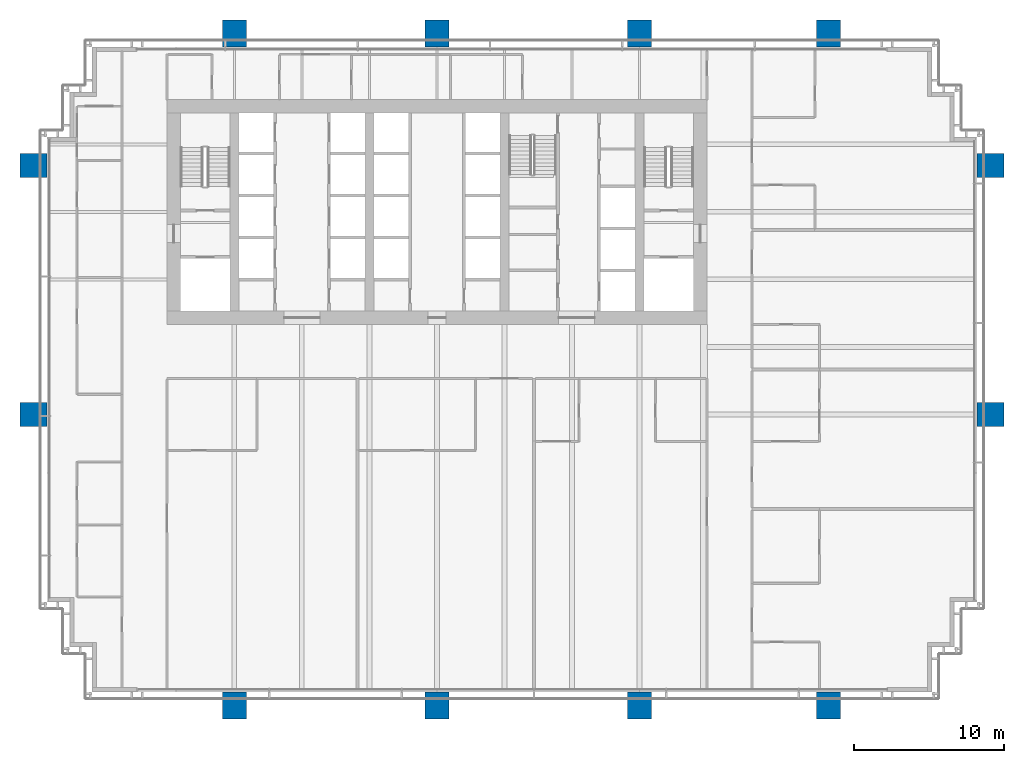
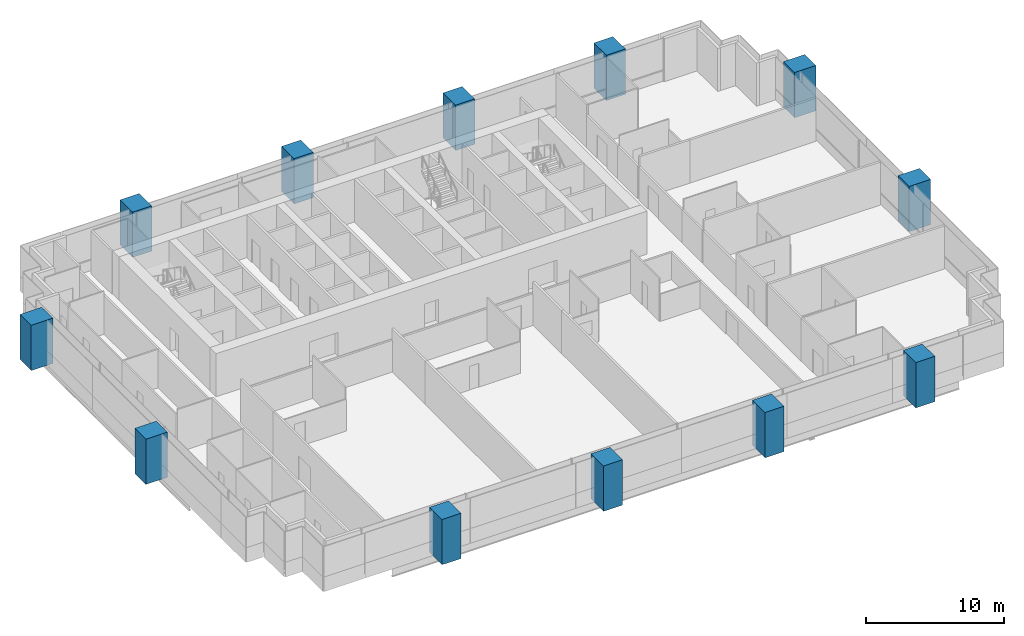
# One storey, part 1 of 19: 12 columns.
"""IFC4 building model written with IfcOpenShell, lengths in metres."""

from ifc_helpers import new_model, si_unit, direction, frame, origin, origin_2d, place, context, subcontext, project, spatial, rectangle, extrude, material, material_profile, profile_set, type_object, element, save


model = new_model("IFC4")

# Units and contexts
model_context = context("Model", 3, precision=1e-05, world=origin(), true_north=direction((0.0, 1.0)))
body_context = subcontext(model_context, "Body", "Model", "MODEL_VIEW")
ifc_project = project(units=[si_unit("LENGTHUNIT", "METRE"), si_unit("AREAUNIT", "SQUARE_METRE"), si_unit("VOLUMEUNIT", "CUBIC_METRE"), si_unit("PLANEANGLEUNIT", "RADIAN"), si_unit("MASSUNIT", "GRAM", prefix="KILO")], contexts=[model_context])

# Site, building, storey
site_placement = place(None, origin())
site = spatial("IfcSite", under=ifc_project, at=site_placement, CompositionType="ELEMENT")
building_placement = place(site_placement, origin())
building = spatial("IfcBuilding", under=site, at=building_placement, Name="Rattan Terrace Tower", CompositionType="ELEMENT")
storey_placement = place(building_placement, frame((0.0, 0.0, 111.699951171875)))
storey = spatial("IfcBuildingStorey", under=building, at=storey_placement, Name="L25", CompositionType="ELEMENT", Elevation=111.699951171875)

# Columns
ifc_material = material(Name="Concrete C60/75", Category="concrete")
ifc_material_profile = material_profile(ifc_material, rectangle(XDim=1.60009765625, YDim=1.800048828125, at=origin_2d()), Name="CFT 1800x1600")
ifc_profile_set = profile_set([ifc_material_profile], Name="Concrete C60/75")
column_type = type_object("IfcColumnType", Name="Frame exoskeleton column CFT 1800x1600", PredefinedType="COLUMN", material=ifc_profile_set)
for number, where, z_axis, x_axis, name in (
    (1, (-13.5, -32.89990234375, -0.199951171875), (0.0, 0.0, 1.0), (1.0, 0.0, 0.0), "exo-L25-001"),
    (2, (0.0, -32.89990234375, -0.199951171875), (0.0, 0.0, 1.0), (1.0, 0.0, 0.0), "exo-L25-002"),
    (3, (13.5, -32.89990234375, -0.199951171875), (0.0, 0.0, 1.0), (1.0, 0.0, 0.0), "exo-L25-003"),
    (4, (26.10009765625, -32.89990234375, -0.199951171875), (0.0, 0.0, 1.0), (1.0, 0.0, 0.0), "exo-L25-004"),
    (5, (-26.89990234375, -13.5, -0.199951171875), (0.0, 0.0, 1.0), (0.0, 1.0, 0.0), "exo-L25-005"),
    (6, (36.89990234375, -13.5, -0.199951171875), (0.0, 0.0, 1.0), (0.0, 1.0, 0.0), "exo-L25-006"),
    (7, (-26.89990234375, 3.10009765625, -0.199951171875), (0.0, 0.0, 1.0), (0.0, 1.0, 0.0), "exo-L25-007"),
    (8, (36.89990234375, 3.10009765625, -0.199951171875), (0.0, 0.0, 1.0), (0.0, 1.0, 0.0), "exo-L25-008"),
    (9, (-13.5, 11.89990234375, -0.199951171875), (0.0, 0.0, 1.0), (1.0, 0.0, 0.0), "exo-L25-009"),
    (10, (0.0, 11.89990234375, -0.199951171875), (0.0, 0.0, 1.0), (1.0, 0.0, 0.0), "exo-L25-010"),
    (11, (13.5, 11.89990234375, -0.199951171875), (0.0, 0.0, 1.0), (1.0, 0.0, 0.0), "exo-L25-011"),
    (12, (26.10009765625, 11.89990234375, -0.199951171875), (0.0, 0.0, 1.0), (1.0, 0.0, 0.0), "exo-L25-012"),
):
    element("IfcColumn", number, at=place(storey_placement, frame(where, z_axis=z_axis, x_axis=x_axis)), inside=storey, type_object=column_type, Name=name, PredefinedType="COLUMN", context=body_context, shape_type="SweptSolid", body=[
        extrude(rectangle(XDim=1.60009765625, YDim=1.800048828125, at=origin_2d()), origin(), (0.0, 0.0, 1.0), 4.0),
    ])

save(model, "model.ifc")
